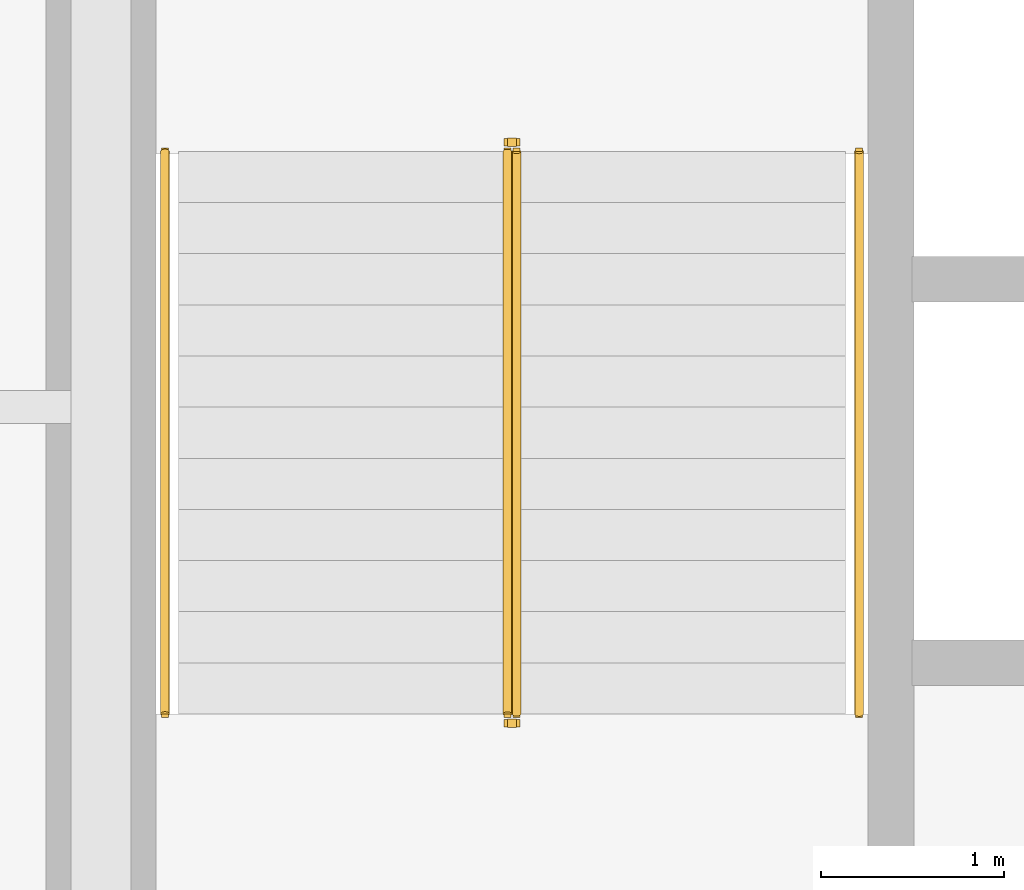
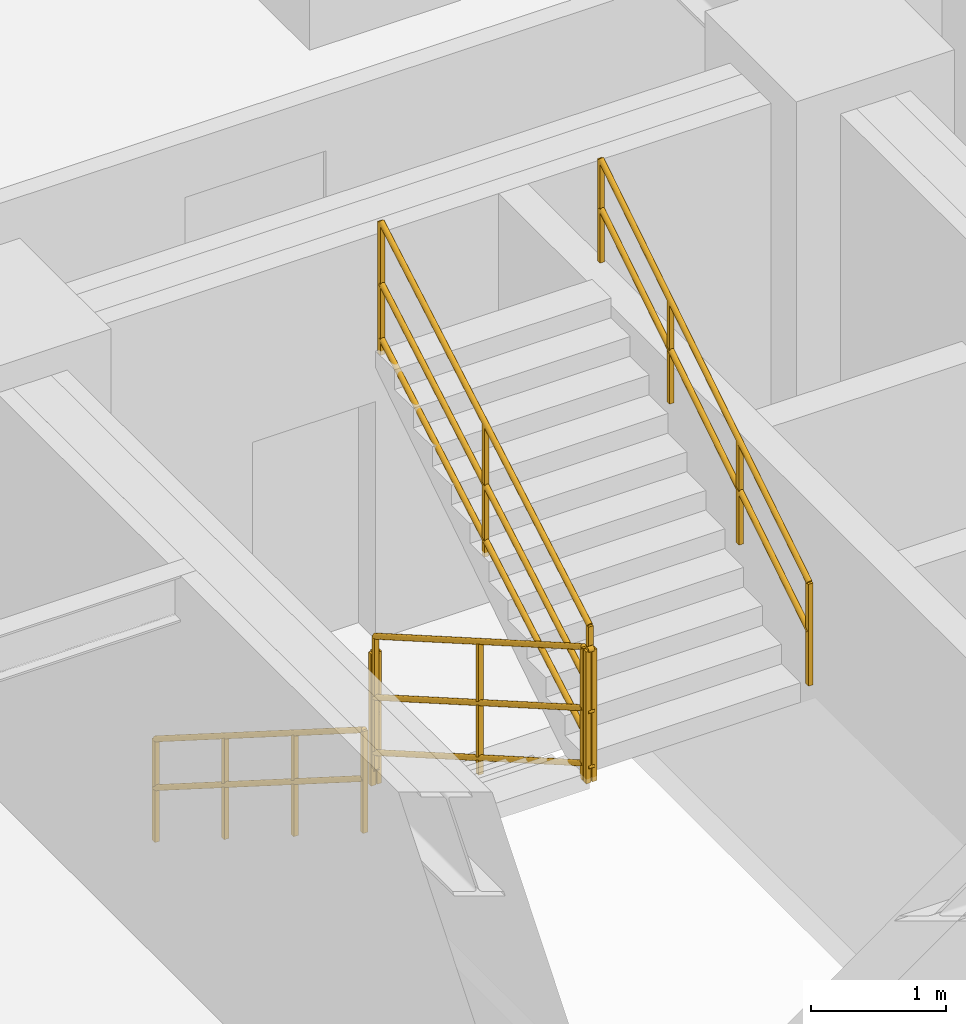
# One storey, part 9 of 9: 6 railings.
"""IFC4 building model written with IfcOpenShell, lengths in metres."""

from ifc_helpers import new_model, entity, si_unit, converted_unit, direction, frame, origin_with_axes, origin_2d_with_axis, place, context, subcontext, project, spatial, rectangle, circle, extrude, material, type_object, element, save


model = new_model("IFC4")

# Units and contexts
model_context = context("Model", 3, precision=1e-05, world=origin_with_axes(), true_north=direction((0.0, 1.0)))
body_context = subcontext(model_context, "Body", "Model", "MODEL_VIEW")
ifc_project = project(units=[si_unit("LENGTHUNIT", "METRE"), si_unit("AREAUNIT", "SQUARE_METRE"), si_unit("VOLUMEUNIT", "CUBIC_METRE"), converted_unit("PLANEANGLEUNIT", "DEGREE", entity("IfcPlaneAngleMeasure", 0.017453292519943295), si_unit("PLANEANGLEUNIT", "RADIAN"), dimensions=[0, 0, 0, 0, 0, 0, 0]), si_unit("MASSUNIT", "GRAM", prefix="KILO"), si_unit("THERMODYNAMICTEMPERATUREUNIT", "KELVIN")], contexts=[model_context])

# Site, building, storey
site_placement = place(None, origin_with_axes())
site = spatial("IfcSite", under=ifc_project, at=site_placement, CompositionType="ELEMENT")
building_placement = place(site_placement, origin_with_axes())
building = spatial("IfcBuilding", under=site, at=building_placement, Name="Varnlund Millrace Tower", CompositionType="ELEMENT")
storey_placement = place(building_placement, frame((0.0, 0.0, 40.5), z_axis=(0.0, 0.0, 1.0), x_axis=(1.0, 0.0, 0.0)))
storey = spatial("IfcBuildingStorey", under=building, at=storey_placement, Name="L09", CompositionType="ELEMENT", Elevation=40.5)

# Railings
ifc_material_1 = material(Name="Painted steel stair well balustrade guard", Category="steel")
railing_type_1 = type_object("IfcRailingType", Name="Type-StairGuard-1150", PredefinedType="GUARDRAIL", material=ifc_material_1)
railing_1_placement = place(storey_placement, frame((0.0, 0.0, -40.5), z_axis=(0.0, 0.0, 1.0), x_axis=(1.0, 0.0, 0.0)))
element("IfcRailing", 1, at=railing_1_placement, inside=storey, type_object=railing_type_1, Name="Type-StairGuard-1150", PredefinedType="GUARDRAIL", context=body_context, shape_type="SweptSolid", body=[
    extrude(circle(Radius=0.024, at=origin_2d_with_axis()), frame((13.625, 35.9, 41.827273), z_axis=(0.0, -0.866696, 0.498836), x_axis=(1.0, 0.0, 0.0)), (0.0, 0.0, 1.0), 3.553725),
    extrude(circle(Radius=0.024, at=origin_2d_with_axis()), frame((13.625, 35.9, 40.777273), z_axis=(0.0, -0.866696, 0.498836), x_axis=(1.0, 0.0, 0.0)), (0.0, 0.0, 1.0), 3.553725),
    extrude(circle(Radius=0.024, at=origin_2d_with_axis()), frame((13.625, 35.9, 41.275273), z_axis=(0.0, -0.866696, 0.498836), x_axis=(1.0, 0.0, 0.0)), (0.0, 0.0, 1.0), 3.553725),
    extrude(rectangle(XDim=0.04, YDim=0.04, at=origin_2d_with_axis()), frame((13.625, 35.9, 40.637273), z_axis=(0.0, 0.0, 1.0), x_axis=(1.0, 0.0, 0.0)), (0.0, 0.0, 1.0), 1.19),
    extrude(rectangle(XDim=0.04, YDim=0.04, at=origin_2d_with_axis()), frame((13.625, 34.36, 41.523637), z_axis=(0.0, 0.0, 1.0), x_axis=(1.0, 0.0, 0.0)), (0.0, 0.0, 1.0), 1.19),
    extrude(rectangle(XDim=0.04, YDim=0.04, at=origin_2d_with_axis()), frame((13.625, 32.82, 42.41), z_axis=(0.0, 0.0, 1.0), x_axis=(1.0, 0.0, 0.0)), (0.0, 0.0, 1.0), 1.19),
])
railing_2_placement = place(storey_placement, frame((0.0, 0.0, -40.5), z_axis=(0.0, 0.0, 1.0), x_axis=(1.0, 0.0, 0.0)))
element("IfcRailing", 2, at=railing_2_placement, inside=storey, type_object=railing_type_1, Name="Type-StairGuard-1150", PredefinedType="GUARDRAIL", context=body_context, shape_type="SweptSolid", body=[
    extrude(circle(Radius=0.024, at=origin_2d_with_axis()), frame((13.675, 32.77, 43.6), z_axis=(-1.0, 0.0, 0.0), x_axis=(0.0, -1.0, 0.0)), (0.0, 0.0, 1.0), 0.05),
    extrude(circle(Radius=0.024, at=origin_2d_with_axis()), frame((13.675, 32.77, 42.55), z_axis=(-1.0, 0.0, 0.0), x_axis=(0.0, -1.0, 0.0)), (0.0, 0.0, 1.0), 0.05),
    extrude(circle(Radius=0.024, at=origin_2d_with_axis()), frame((13.675, 32.77, 43.048), z_axis=(-1.0, 0.0, 0.0), x_axis=(0.0, -1.0, 0.0)), (0.0, 0.0, 1.0), 0.05),
    extrude(rectangle(XDim=0.04, YDim=0.04, at=origin_2d_with_axis()), frame((13.675, 32.77, 42.41), z_axis=(0.0, 0.0, 1.0), x_axis=(1.0, 0.0, 0.0)), (0.0, 0.0, 1.0), 1.19),
    extrude(rectangle(XDim=0.04, YDim=0.04, at=origin_2d_with_axis()), frame((13.625, 32.77, 42.41), z_axis=(0.0, 0.0, 1.0), x_axis=(1.0, 0.0, 0.0)), (0.0, 0.0, 1.0), 1.19),
])
railing_3_placement = place(storey_placement, frame((0.0, 0.0, -40.5), z_axis=(0.0, 0.0, 1.0), x_axis=(1.0, 0.0, 0.0)))
element("IfcRailing", 3, at=railing_3_placement, inside=storey, type_object=railing_type_1, Name="Type-StairGuard-1150", PredefinedType="GUARDRAIL", context=body_context, shape_type="SweptSolid", body=[
    extrude(circle(Radius=0.024, at=origin_2d_with_axis()), frame((13.675, 32.82, 43.777273), z_axis=(0.0, 0.866696, 0.498836), x_axis=(-1.0, 0.0, 0.0)), (0.0, 0.0, 1.0), 3.553725),
    extrude(circle(Radius=0.024, at=origin_2d_with_axis()), frame((13.675, 32.82, 42.727273), z_axis=(0.0, 0.866696, 0.498836), x_axis=(-1.0, 0.0, 0.0)), (0.0, 0.0, 1.0), 3.553725),
    extrude(circle(Radius=0.024, at=origin_2d_with_axis()), frame((13.675, 32.82, 43.225273), z_axis=(0.0, 0.866696, 0.498836), x_axis=(-1.0, 0.0, 0.0)), (0.0, 0.0, 1.0), 3.553725),
    extrude(rectangle(XDim=0.04, YDim=0.04, at=origin_2d_with_axis()), frame((13.675, 32.82, 42.587273), z_axis=(0.0, 0.0, 1.0), x_axis=(1.0, 0.0, 0.0)), (0.0, 0.0, 1.0), 1.19),
    extrude(rectangle(XDim=0.04, YDim=0.04, at=origin_2d_with_axis()), frame((13.675, 34.36, 43.473637), z_axis=(0.0, 0.0, 1.0), x_axis=(1.0, 0.0, 0.0)), (0.0, 0.0, 1.0), 1.19),
    extrude(rectangle(XDim=0.04, YDim=0.04, at=origin_2d_with_axis()), frame((13.675, 35.9, 44.36), z_axis=(0.0, 0.0, 1.0), x_axis=(1.0, 0.0, 0.0)), (0.0, 0.0, 1.0), 1.19),
])
railing_4_placement = place(storey_placement, frame((0.0, 0.0, -40.5), z_axis=(0.0, 0.0, 1.0), x_axis=(1.0, 0.0, 0.0)))
element("IfcRailing", 4, at=railing_4_placement, inside=storey, type_object=railing_type_1, Name="Type-StairGuard-1150", PredefinedType="GUARDRAIL", context=body_context, shape_type="SweptSolid", body=[
    extrude(circle(Radius=0.024, at=origin_2d_with_axis()), frame((13.675, 35.95, 41.65), z_axis=(-1.0, 0.0, 0.0), x_axis=(0.0, -1.0, 0.0)), (0.0, 0.0, 1.0), 0.05),
    extrude(circle(Radius=0.024, at=origin_2d_with_axis()), frame((13.675, 35.95, 40.6), z_axis=(-1.0, 0.0, 0.0), x_axis=(0.0, -1.0, 0.0)), (0.0, 0.0, 1.0), 0.05),
    extrude(circle(Radius=0.024, at=origin_2d_with_axis()), frame((13.675, 35.95, 41.098), z_axis=(-1.0, 0.0, 0.0), x_axis=(0.0, -1.0, 0.0)), (0.0, 0.0, 1.0), 0.05),
    extrude(rectangle(XDim=0.04, YDim=0.04, at=origin_2d_with_axis()), frame((13.675, 35.95, 40.46), z_axis=(0.0, 0.0, 1.0), x_axis=(1.0, 0.0, 0.0)), (0.0, 0.0, 1.0), 1.19),
    extrude(rectangle(XDim=0.04, YDim=0.04, at=origin_2d_with_axis()), frame((13.625, 35.95, 40.46), z_axis=(0.0, 0.0, 1.0), x_axis=(1.0, 0.0, 0.0)), (0.0, 0.0, 1.0), 1.19),
])
ifc_material_2 = material(Name="Brushed architectural bronze stair handrail", Category="aluminium")
railing_type_2 = type_object("IfcRailingType", Name="Type-StairHandrail-900", PredefinedType="HANDRAIL", material=ifc_material_2)
railing_5_placement = place(storey_placement, frame((0.0, 0.0, -40.5), z_axis=(0.0, 0.0, 1.0), x_axis=(1.0, 0.0, 0.0)))
element("IfcRailing", 5, at=railing_5_placement, inside=storey, type_object=railing_type_2, Name="Type-StairHandrail-900", PredefinedType="HANDRAIL", context=body_context, shape_type="SweptSolid", body=[
    extrude(circle(Radius=0.024, at=origin_2d_with_axis()), frame((11.75, 35.9, 41.556995), z_axis=(0.0, -0.844902, 0.534922), x_axis=(1.0, 0.0, 0.0)), (0.0, 0.0, 1.0), 3.645394),
    extrude(circle(Radius=0.024, at=origin_2d_with_axis()), frame((11.75, 35.9, 41.117134), z_axis=(0.0, -0.844902, 0.534922), x_axis=(1.0, 0.0, 0.0)), (0.0, 0.0, 1.0), 3.645394),
    extrude(rectangle(XDim=0.04, YDim=0.04, at=origin_2d_with_axis()), frame((11.75, 35.9, 40.637273), z_axis=(0.0, 0.0, 1.0), x_axis=(1.0, 0.0, 0.0)), (0.0, 0.0, 1.0), 0.919722),
    extrude(rectangle(XDim=0.04, YDim=0.04, at=origin_2d_with_axis()), frame((11.75, 34.873333, 41.287273), z_axis=(0.0, 0.0, 1.0), x_axis=(1.0, 0.0, 0.0)), (0.0, 0.0, 1.0), 0.919722),
    extrude(rectangle(XDim=0.04, YDim=0.04, at=origin_2d_with_axis()), frame((11.75, 33.846667, 41.937273), z_axis=(0.0, 0.0, 1.0), x_axis=(1.0, 0.0, 0.0)), (0.0, 0.0, 1.0), 0.919722),
    extrude(rectangle(XDim=0.04, YDim=0.04, at=origin_2d_with_axis()), frame((11.75, 32.82, 42.587273), z_axis=(0.0, 0.0, 1.0), x_axis=(1.0, 0.0, 0.0)), (0.0, 0.0, 1.0), 0.919722),
])
railing_6_placement = place(storey_placement, frame((0.0, 0.0, -40.5), z_axis=(0.0, 0.0, 1.0), x_axis=(1.0, 0.0, 0.0)))
element("IfcRailing", 6, at=railing_6_placement, inside=storey, type_object=railing_type_2, Name="Type-StairHandrail-900", PredefinedType="HANDRAIL", context=body_context, shape_type="SweptSolid", body=[
    extrude(circle(Radius=0.024, at=origin_2d_with_axis()), frame((15.55, 32.82, 43.506995), z_axis=(0.0, 0.844902, 0.534922), x_axis=(-1.0, 0.0, 0.0)), (0.0, 0.0, 1.0), 3.645394),
    extrude(circle(Radius=0.024, at=origin_2d_with_axis()), frame((15.55, 32.82, 43.067134), z_axis=(0.0, 0.844902, 0.534922), x_axis=(-1.0, 0.0, 0.0)), (0.0, 0.0, 1.0), 3.645394),
    extrude(rectangle(XDim=0.04, YDim=0.04, at=origin_2d_with_axis()), frame((15.55, 32.82, 42.587273), z_axis=(0.0, 0.0, 1.0), x_axis=(1.0, 0.0, 0.0)), (0.0, 0.0, 1.0), 0.919722),
    extrude(rectangle(XDim=0.04, YDim=0.04, at=origin_2d_with_axis()), frame((15.55, 33.846667, 43.237273), z_axis=(0.0, 0.0, 1.0), x_axis=(1.0, 0.0, 0.0)), (0.0, 0.0, 1.0), 0.919722),
    extrude(rectangle(XDim=0.04, YDim=0.04, at=origin_2d_with_axis()), frame((15.55, 34.873333, 43.887273), z_axis=(0.0, 0.0, 1.0), x_axis=(1.0, 0.0, 0.0)), (0.0, 0.0, 1.0), 0.919722),
    extrude(rectangle(XDim=0.04, YDim=0.04, at=origin_2d_with_axis()), frame((15.55, 35.9, 44.537273), z_axis=(0.0, 0.0, 1.0), x_axis=(1.0, 0.0, 0.0)), (0.0, 0.0, 1.0), 0.919722),
])

save(model, "model.ifc")
